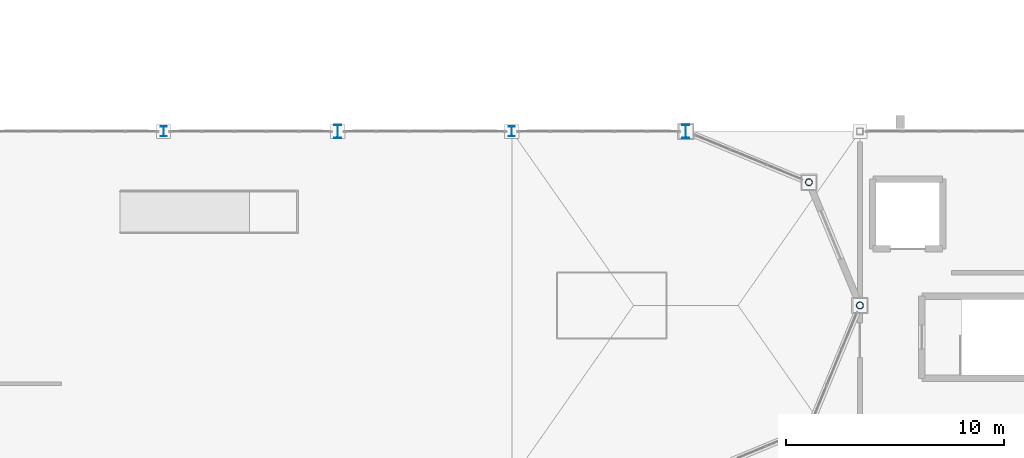
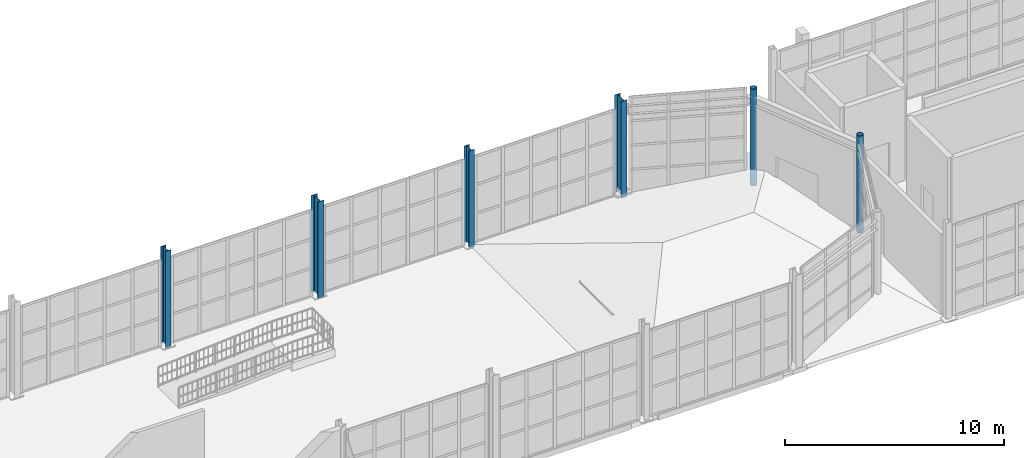
# One storey, part 12 of 82: 6 columns.
"""IFC4 building model written with IfcOpenShell, lengths in metres."""

from ifc_helpers import new_model, si_unit, direction, frame, origin, origin_2d, place, context, subcontext, project, spatial, hollow_circle, i_section, extrude, material, material_profile, profile_set, type_object, element, save


model = new_model("IFC4")

# Units and contexts
model_context = context("Model", 3, precision=1e-05, world=origin(), true_north=direction((0.0, 1.0)))
body_context = subcontext(model_context, "Body", "Model", "MODEL_VIEW")
ifc_project = project(units=[si_unit("LENGTHUNIT", "METRE"), si_unit("AREAUNIT", "SQUARE_METRE"), si_unit("VOLUMEUNIT", "CUBIC_METRE"), si_unit("PLANEANGLEUNIT", "RADIAN"), si_unit("MASSUNIT", "GRAM", prefix="KILO")], contexts=[model_context])

# Site, building, storey
site_placement = place(None, origin())
site = spatial("IfcSite", under=ifc_project, at=site_placement, CompositionType="ELEMENT")
building_placement = place(site_placement, origin())
building = spatial("IfcBuilding", under=site, at=building_placement, Name="Serraluz Foothill Cableway Terminal", CompositionType="ELEMENT")
storey_placement = place(building_placement, frame((0.0, 0.0, 9.60009765625)))
storey = spatial("IfcBuildingStorey", under=building, at=storey_placement, Name="L02", CompositionType="ELEMENT", Elevation=9.60009765625)

# Columns
ifc_material_1 = material(Name="Steel ASTM A572 Grade 50", Category="steel")
ifc_material_profile_1 = material_profile(ifc_material_1, hollow_circle(Radius=0.161865234375, WallThickness=0.01611328125, at=origin_2d()), Name="CHS324X16")
ifc_profile_set_1 = profile_set([ifc_material_profile_1], Name="Steel ASTM A572 Grade 50")
column_type_1 = type_object("IfcColumnType", Name="TYP-COL-CHS324", PredefinedType="COLUMN", material=ifc_profile_set_1)
for number, where, z_axis, x_axis, name in (
    (1, (160.0, 64.0, 0.0), (0.0, 0.0, 1.0), (1.0, 0.0, 0.0), "Column COL-V1-ARC-E2-L02"),
    (2, (157.656982421875, 69.656982421875, 0.0), (0.0, 0.0, 1.0), (1.0, 0.0, 0.0), "Column COL-V1-ARC-E3-L02"),
):
    element("IfcColumn", number, at=place(storey_placement, frame(where, z_axis=z_axis, x_axis=x_axis)), inside=storey, type_object=column_type_1, Name=name, PredefinedType="COLUMN", context=body_context, shape_type="SweptSolid", body=[
        extrude(hollow_circle(Radius=0.161865234375, WallThickness=0.01611328125, at=origin_2d()), origin(), (0.0, 0.0, 1.0), 5.39990234375),
    ])
ifc_material_2 = material(Name="Steel ASTM A992 Grade 50", Category="steel")
ifc_material_profile_2 = material_profile(ifc_material_2, i_section(OverallWidth=0.282958984375, OverallDepth=0.471923828125, WebThickness=0.013671875, FlangeThickness=0.022216796875, FilletRadius=0.014892578125, at=origin_2d()), Name="W18X97")
ifc_profile_set_2 = profile_set([ifc_material_profile_2], Name="Steel ASTM A992 Grade 50")
column_type_2 = type_object("IfcColumnType", Name="TYP-COL-W18X97", PredefinedType="COLUMN", material=ifc_profile_set_2)
for number, where, z_axis, x_axis, name in (
    (3, (128.0, 72.0, 0.0), (0.0, 0.0, 1.0), (1.0, 0.0, 0.0), "Column COL-V1-N-128-L02"),
    (4, (144.0, 72.0, 0.0), (0.0, 0.0, 1.0), (1.0, 0.0, 0.0), "Column COL-V1-N-144-L02"),
):
    element("IfcColumn", number, at=place(storey_placement, frame(where, z_axis=z_axis, x_axis=x_axis)), inside=storey, type_object=column_type_2, Name=name, PredefinedType="COLUMN", context=body_context, shape_type="SweptSolid", body=[
        extrude(i_section(OverallWidth=0.282958984375, OverallDepth=0.471923828125, WebThickness=0.013671875, FlangeThickness=0.022216796875, FilletRadius=0.014892578125, at=origin_2d()), origin(), (0.0, 0.0, 1.0), 5.39990234375),
    ])
ifc_material_profile_3 = material_profile(ifc_material_2, i_section(OverallWidth=0.324951171875, OverallDepth=0.615966796875, WebThickness=0.013916015625, FlangeThickness=0.021484375, FilletRadius=0.01806640625, at=origin_2d()), Name="W24X117")
ifc_profile_set_3 = profile_set([ifc_material_profile_3], Name="Steel ASTM A992 Grade 50")
column_type_3 = type_object("IfcColumnType", Name="TYP-COL-W24X117", PredefinedType="COLUMN", material=ifc_profile_set_3)
for number, where, z_axis, x_axis, name in (
    (5, (136.0, 72.0, 0.0), (0.0, 0.0, 1.0), (1.0, 0.0, 0.0), "Column COL-V1-N-136-L02"),
    (6, (152.0, 72.0, 0.0), (0.0, 0.0, 1.0), (1.0, 0.0, 0.0), "Column COL-V1-N-152-L02"),
):
    element("IfcColumn", number, at=place(storey_placement, frame(where, z_axis=z_axis, x_axis=x_axis)), inside=storey, type_object=column_type_3, Name=name, PredefinedType="COLUMN", context=body_context, shape_type="SweptSolid", body=[
        extrude(i_section(OverallWidth=0.324951171875, OverallDepth=0.615966796875, WebThickness=0.013916015625, FlangeThickness=0.021484375, FilletRadius=0.01806640625, at=origin_2d()), origin(), (0.0, 0.0, 1.0), 5.39990234375),
    ])

save(model, "model.ifc")
